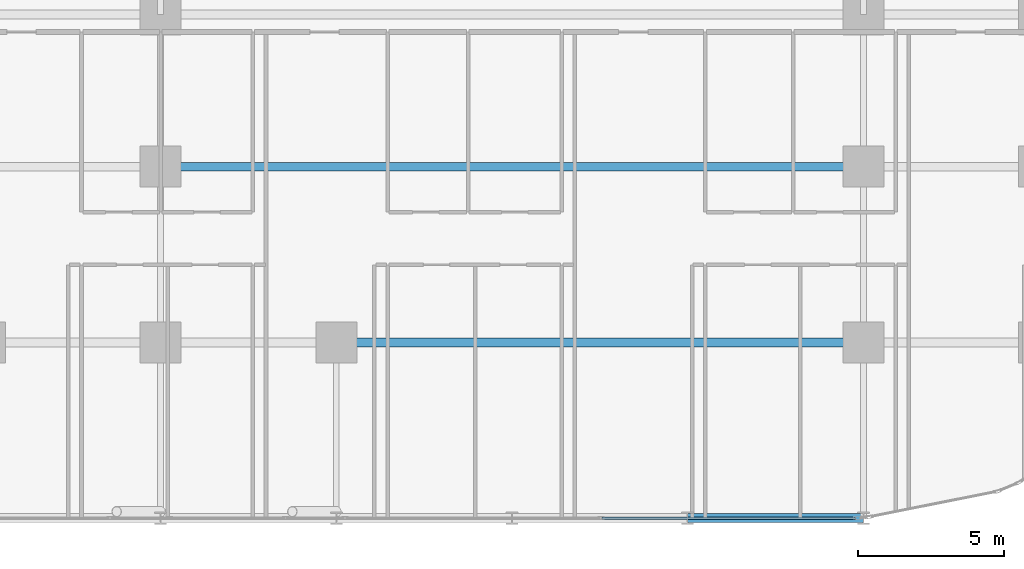
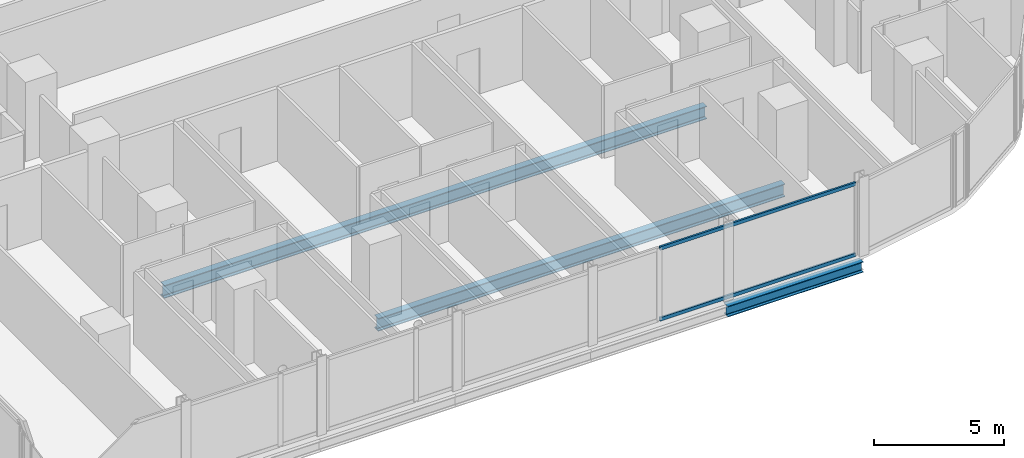
# One storey, part 8 of 33: 3 beams, 2 members, 1 element without a shape of its own.
"""IFC4 building model written with IfcOpenShell, lengths in metres."""

import ifcopenshell
import ifcopenshell.guid

model = None  # the IFC model being written
_history = None  # IfcOwnerHistory: only IFC2X3 demands one
_inside = {}  # id of a spatial element -> (the spatial element, [elements in it])
_under = {}  # id of a project, library or spatial element -> (it, [spatial elements below it])
_declared = {}  # id of a project -> (the project, [libraries it declares])
_typed = {}  # id of a type object -> (the type object, [elements of that type])
_made_of = {}  # id of a material, layer set ... -> (it, [elements and type objects made of it])


def new_model(schema):
    """Start an empty IFC model of exactly this schema.

    Asked for "IFC4X3", IfcOpenShell would pick the latest addendum, in which some entities
    have other attributes; the version numbers below select the first issue.
    IFC2X3 requires an IfcOwnerHistory on every rooted entity: one is made here for all.
    """
    global model, _history
    if schema == "IFC4X3":
        model = ifcopenshell.file(schema_version=(4, 3, 0, 0))
    else:
        model = ifcopenshell.file(schema=schema)
    _inside.clear()
    _under.clear()
    _declared.clear()
    _typed.clear()
    _made_of.clear()
    _history = None
    if model.schema == "IFC2X3":
        org = make("IfcOrganization", Name="unknown")
        user = make(
            "IfcPersonAndOrganization",
            ThePerson=make("IfcPerson", FamilyName="unknown"),
            TheOrganization=org,
        )
        app = make(
            "IfcApplication",
            ApplicationDeveloper=org,
            Version="unknown",
            ApplicationFullName="unknown",
            ApplicationIdentifier="unknown",
        )
        _history = make(
            "IfcOwnerHistory",
            OwningUser=user,
            OwningApplication=app,
            ChangeAction="ADDED",
            CreationDate=0,
        )
    return model


def make(cls, **values):
    """One entity of the class cls with the attributes given. An attribute that is None is left unset."""
    return model.create_entity(
        cls, **{name: value for name, value in values.items() if value is not None}
    )


def rooted(cls, **values):
    """An entity with a GlobalId (a new one), such as an element, a storey or a relation."""
    return make(cls, GlobalId=ifcopenshell.guid.new(), OwnerHistory=_history, **values)


def si_unit(unit_type, name, prefix=None):
    """IfcSIUnit, for example si_unit("LENGTHUNIT", "METRE", prefix="MILLI")."""
    return make("IfcSIUnit", UnitType=unit_type, Prefix=prefix, Name=name)


def assignment(units):
    """IfcUnitAssignment: the units of a project."""
    return None if units is None else make("IfcUnitAssignment", Units=units)


def point(xyz):
    """IfcCartesianPoint."""
    return None if xyz is None else make("IfcCartesianPoint", Coordinates=xyz)


def direction(xyz):
    """IfcDirection."""
    return None if xyz is None else make("IfcDirection", DirectionRatios=xyz)


def frame(location, z_axis=None, x_axis=None):
    """IfcAxis2Placement3D, a coordinate frame: its origin and axes. An axis left out is left unset."""
    return make(
        "IfcAxis2Placement3D",
        Location=point(location),
        Axis=direction(z_axis),
        RefDirection=direction(x_axis),
    )


def frame_2d(location, x_axis=None):
    """IfcAxis2Placement2D, a coordinate frame in the plane: its origin and x axis."""
    return make(
        "IfcAxis2Placement2D", Location=point(location), RefDirection=direction(x_axis)
    )


def origin():
    """The frame at (0, 0, 0) with its axes left unset."""
    return frame((0.0, 0.0, 0.0))


def origin_2d():
    """The frame at (0, 0) in the plane with its x axis left unset."""
    return frame_2d((0.0, 0.0))


def place(relative_to, where):
    """IfcLocalPlacement: puts the frame where relative to a parent placement (None: the world)."""
    return make(
        "IfcLocalPlacement", PlacementRelTo=relative_to, RelativePlacement=where
    )


def context(
    kind, dimensions, precision=None, world=None, true_north=None, identifier=None
):
    """IfcGeometricRepresentationContext, for example the 3D "Model" context."""
    return make(
        "IfcGeometricRepresentationContext",
        ContextIdentifier=identifier,
        ContextType=kind,
        CoordinateSpaceDimension=dimensions,
        Precision=precision,
        WorldCoordinateSystem=world,
        TrueNorth=true_north,
    )


def subcontext(parent, identifier, kind, view, scale=None):
    """IfcGeometricRepresentationSubContext, for example "Body" below "Model"."""
    return make(
        "IfcGeometricRepresentationSubContext",
        ContextIdentifier=identifier,
        ContextType=kind,
        ParentContext=parent,
        TargetScale=scale,
        TargetView=view,
    )


def project(units=None, contexts=None):
    """IfcProject with its units and contexts."""
    return rooted(
        "IfcProject",
        Name="project",
        RepresentationContexts=contexts,
        UnitsInContext=assignment(units),
    )


def spatial(cls, under=None, at=None, **own):
    """A site, building, storey or space (cls), placed at a placement, below another one or the project."""
    s = rooted(cls, ObjectPlacement=at, **own)
    if under is not None:
        _under.setdefault(under.id(), (under, []))[1].append(s)
    return s


def profile(cls, at=None, kind="AREA", **sizes):
    """A parametric profile (cls). Its sizes go by their IFC names, for example OverallWidth=200.0."""
    return make(cls, ProfileType=kind, Position=at, **sizes)


def hollow_rectangle(**sizes):
    """IfcRectangleHollowProfileDef."""
    return profile("IfcRectangleHollowProfileDef", **sizes)


def i_section(**sizes):
    """IfcIShapeProfileDef."""
    return profile("IfcIShapeProfileDef", **sizes)


def extrude(swept, where, along, depth):
    """IfcExtrudedAreaSolid: the profile swept, set in the frame where, extruded along a direction by depth."""
    return make(
        "IfcExtrudedAreaSolid",
        SweptArea=swept,
        Position=where,
        ExtrudedDirection=direction(along),
        Depth=depth,
    )


def shape(context_of_items, identifier, shape_type, items):
    """IfcShapeRepresentation: the items that make up one representation, for example the "Body"."""
    return make(
        "IfcShapeRepresentation",
        ContextOfItems=context_of_items,
        RepresentationIdentifier=identifier,
        RepresentationType=shape_type,
        Items=items,
    )


def material(Name=None, Category=None):
    """IfcMaterial."""
    return make("IfcMaterial", Name=Name, Category=Category)


def layer(
    of_material, thickness, ventilated=None, Name=None, Category=None, Priority=None
):
    """IfcMaterialLayer: one layer of a wall or slab, of a material (None: an air gap)."""
    return make(
        "IfcMaterialLayer",
        Material=of_material,
        LayerThickness=thickness,
        IsVentilated=ventilated,
        Name=Name,
        Category=Category,
        Priority=Priority,
    )


def layer_set(layers, Name=None):
    """IfcMaterialLayerSet."""
    return make("IfcMaterialLayerSet", MaterialLayers=layers, LayerSetName=Name)


def material_profile(
    of_material, cross_section, Name=None, Category=None, Priority=None
):
    """IfcMaterialProfile: a cross section and its material."""
    return make(
        "IfcMaterialProfile",
        Name=Name,
        Material=of_material,
        Profile=cross_section,
        Priority=Priority,
        Category=Category,
    )


def profile_set(profiles, Name=None, composite=None):
    """IfcMaterialProfileSet."""
    return make(
        "IfcMaterialProfileSet",
        Name=Name,
        MaterialProfiles=profiles,
        CompositeProfile=composite,
    )


def made_of(thing, what):
    """Note that an element or type object is made of a material, layer set ...; save() writes the relation."""
    if what is not None:
        _made_of.setdefault(what.id(), (what, []))[1].append(thing)
    return thing


def type_object(cls, material=None, **own):
    """A type object (cls), such as IfcWallType, which elements share."""
    return made_of(rooted(cls, **own), material)


def element(
    cls,
    number,
    at=None,
    inside=None,
    cuts=None,
    type_object=None,
    material=None,
    context=None,
    identifier="Body",
    shape_type=None,
    held_by="IfcProductDefinitionShape",
    body=None,
    shapes=None,
    **own,
):
    """One element of the class cls, such as IfcWall. Its Tag is "e" and its number.

    at: its placement. inside: the storey or other place that contains it. cuts: it is an
    opening in that element (IfcRelVoidsElement). A single representation is given by context,
    identifier, shape_type and body (its items); several are given by shapes. held_by: the class
    of the entity that holds the representations. save() writes the other relations.
    """
    e = rooted(cls, Tag="e%d" % number, ObjectPlacement=at, **own)
    if body is not None:
        shapes = [shape(context, identifier, shape_type, body)]
    if shapes is not None:
        e.Representation = make(held_by, Representations=shapes)
    if inside is not None:
        _inside.setdefault(inside.id(), (inside, []))[1].append(e)
    if cuts is not None:
        rooted(
            "IfcRelVoidsElement", RelatingBuildingElement=cuts, RelatedOpeningElement=e
        )
    if type_object is not None:
        _typed.setdefault(type_object.id(), (type_object, []))[1].append(e)
    return made_of(e, material)


def aggregate(whole, parts):
    """IfcRelAggregates: a whole, such as a stair, and the parts it consists of."""
    return rooted("IfcRelAggregates", RelatingObject=whole, RelatedObjects=parts)


def save(model, path):
    """Write the relations noted so far, then the file.

    IfcRelAggregates (storeys below a building ...), IfcRelContainedInSpatialStructure (elements
    in a storey), IfcRelDefinesByType, IfcRelAssociatesMaterial and IfcRelDeclares: one each for
    every whole, place, type object, material and project.
    """
    for whole, parts in _under.values():
        aggregate(whole, parts)
    for where, things in _inside.values():
        rooted(
            "IfcRelContainedInSpatialStructure",
            RelatedElements=things,
            RelatingStructure=where,
        )
    for kind, things in _typed.values():
        rooted("IfcRelDefinesByType", RelatedObjects=things, RelatingType=kind)
    for what, things in _made_of.values():
        rooted("IfcRelAssociatesMaterial", RelatedObjects=things, RelatingMaterial=what)
    for by, libraries in _declared.values():
        rooted("IfcRelDeclares", RelatingContext=by, RelatedDefinitions=libraries)
    model.write(path)


model = new_model("IFC4")

# Units and contexts
model_context = context("Model", 3, precision=1e-05, world=origin(), true_north=direction((0.0, 1.0)))
body_context = subcontext(model_context, "Body", "Model", "MODEL_VIEW")
ifc_project = project(units=[si_unit("LENGTHUNIT", "METRE"), si_unit("AREAUNIT", "SQUARE_METRE"), si_unit("VOLUMEUNIT", "CUBIC_METRE"), si_unit("PLANEANGLEUNIT", "RADIAN"), si_unit("MASSUNIT", "GRAM", prefix="KILO")], contexts=[model_context])

# Site, building, storey
site_placement = place(None, origin())
site = spatial("IfcSite", under=ifc_project, at=site_placement, CompositionType="ELEMENT")
building_placement = place(site_placement, origin())
building = spatial("IfcBuilding", under=site, at=building_placement, Name="Keshet Zoharim Tower", CompositionType="ELEMENT")
storey_placement = place(building_placement, frame((0.0, 0.0, 42.5)))
storey = spatial("IfcBuildingStorey", under=building, at=storey_placement, Name="L09", CompositionType="ELEMENT", Elevation=42.5)

# Beams
ifc_material_1 = material(Name="Steel S355", Category="steel")
ifc_material_profile_1 = material_profile(ifc_material_1, i_section(OverallWidth=0.300048828125, OverallDepth=0.60009765625, WebThickness=0.015380859375, FlangeThickness=0.030029296875, FilletRadius=0.027099609375, at=origin_2d()), Name="HEB600")
ifc_profile_set_1 = profile_set([ifc_material_profile_1], Name="Steel S355")
beam_type_1 = type_object("IfcBeamType", Name="BM-LNG-HB600", PredefinedType="BEAM", material=ifc_profile_set_1)
beam_1_placement = place(storey_placement, frame((39.0, 6.699951171875, -0.614990234375), z_axis=(1.0, 0.0, 0.0), x_axis=(0.0, 1.0, 0.0)))
element("IfcBeam", 1, at=beam_1_placement, inside=storey, type_object=beam_type_1, Name="L09 Primary Girder X-009", PredefinedType="BEAM", context=body_context, shape_type="SweptSolid", body=[
    extrude(i_section(OverallWidth=0.300048828125, OverallDepth=0.60009765625, WebThickness=0.015380859375, FlangeThickness=0.030029296875, FilletRadius=0.027099609375, at=origin_2d()), origin(), (0.0, 0.0, 1.0), 18.0),
])
beam_2_placement = place(storey_placement, frame((33.0, 12.699951171875, -0.614990234375), z_axis=(1.0, 0.0, 0.0), x_axis=(0.0, 1.0, 0.0)))
element("IfcBeam", 2, at=beam_2_placement, inside=storey, type_object=beam_type_1, Name="L09 Primary Girder X-012", PredefinedType="BEAM", context=body_context, shape_type="SweptSolid", body=[
    extrude(i_section(OverallWidth=0.300048828125, OverallDepth=0.60009765625, WebThickness=0.015380859375, FlangeThickness=0.030029296875, FilletRadius=0.027099609375, at=origin_2d()), origin(), (0.0, 0.0, 1.0), 24.0),
])
ifc_material_profile_2 = material_profile(ifc_material_1, i_section(OverallWidth=0.300048828125, OverallDepth=0.5, WebThickness=0.014404296875, FlangeThickness=0.028076171875, FilletRadius=0.027099609375, at=origin_2d()), Name="HEB500")
ifc_profile_set_2 = profile_set([ifc_material_profile_2], Name="Steel S355")
beam_type_2 = type_object("IfcBeamType", Name="BM-WEB-HB500", PredefinedType="BEAM", material=ifc_profile_set_2)
beam_3_placement = place(storey_placement, frame((51.0, 0.699951171875, -0.56494140625), z_axis=(1.0, 0.0, 0.0), x_axis=(0.0, 1.0, 0.0)))
element("IfcBeam", 3, at=beam_3_placement, inside=storey, type_object=beam_type_2, Name="L09 Primary Girder X-005", PredefinedType="BEAM", context=body_context, shape_type="SweptSolid", body=[
    extrude(i_section(OverallWidth=0.300048828125, OverallDepth=0.5, WebThickness=0.014404296875, FlangeThickness=0.028076171875, FilletRadius=0.027099609375, at=origin_2d()), origin(), (0.0, 0.0, 1.0), 6.0),
])

# Curtain wall, members
ifc_material_2 = material(Name="Aluminium 6063-T6", Category="aluminium")
ifc_layer = layer(ifc_material_2, 0.179931640625)
ifc_layer_set = layer_set([ifc_layer], Name="Aluminium 6063-T6")
curtain_wall_type = type_object("IfcCurtainWallType", Name="CW-SYS-01", PredefinedType="NOTDEFINED", material=ifc_layer_set)
curtain_wall_placement = place(storey_placement, origin())
curtain_wall = element("IfcCurtainWall", 4, at=curtain_wall_placement, inside=storey, type_object=curtain_wall_type, Name="L09 Unitised Curtain Wall 26", PredefinedType="NOTDEFINED")
ifc_material_profile_3 = material_profile(ifc_material_2, hollow_rectangle(XDim=0.0849609375, YDim=0.159912109375, WallThickness=0.00439453125, at=origin_2d()), Name="TRN-85x160")
ifc_profile_set_3 = profile_set([ifc_material_profile_3], Name="Aluminium 6063-T6")
member_type = type_object("IfcMemberType", Name="CWT-T16", PredefinedType="USERDEFINED", material=ifc_profile_set_3)
member_1_placement = place(storey_placement, frame((56.73291015625, 0.699951171875, 0.034912109375), z_axis=(-1.0, 0.0, 0.0), x_axis=(0.0, -1.0, 0.0)))
member_1 = element("IfcMember", 5, at=member_1_placement, type_object=member_type, Name="CW-01 transom 1.1", ObjectType="TRANSOM", PredefinedType="USERDEFINED", context=body_context, shape_type="SweptSolid", body=[
    extrude(hollow_rectangle(XDim=0.0849609375, YDim=0.159912109375, WallThickness=0.00439453125, at=origin_2d()), origin(), (0.0, 0.0, 1.0), 8.6650390625),
])
member_2_placement = place(storey_placement, frame((56.73291015625, 0.699951171875, 3.35009765625), z_axis=(-1.0, 0.0, 0.0), x_axis=(0.0, -1.0, 0.0)))
member_2 = element("IfcMember", 6, at=member_2_placement, type_object=member_type, Name="CW-01 transom 1.2", ObjectType="TRANSOM", PredefinedType="USERDEFINED", context=body_context, shape_type="SweptSolid", body=[
    extrude(hollow_rectangle(XDim=0.0849609375, YDim=0.159912109375, WallThickness=0.00439453125, at=origin_2d()), origin(), (0.0, 0.0, 1.0), 8.6650390625),
])
aggregate(curtain_wall, [member_1, member_2])

save(model, "model.ifc")
